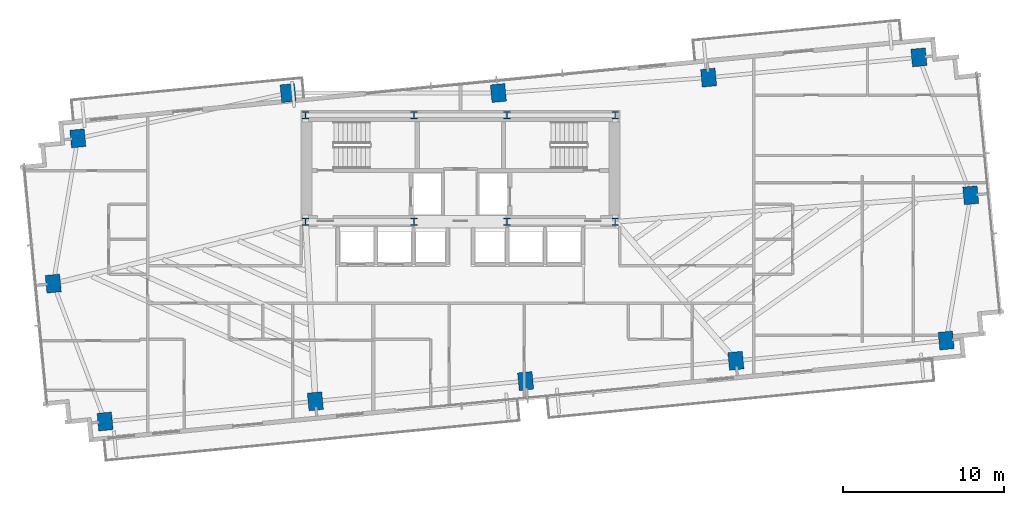
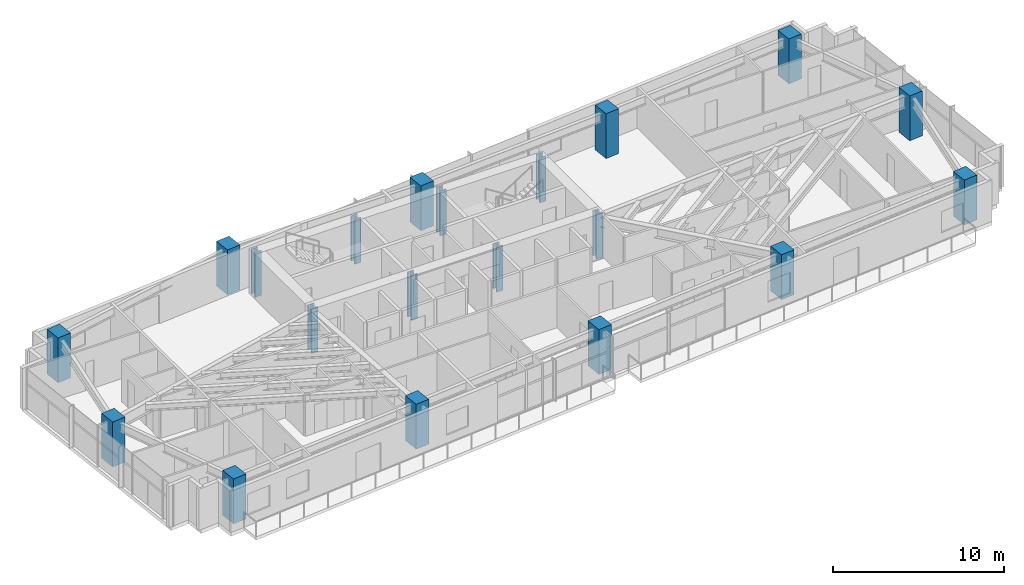
# One storey, part 1 of 25: 20 columns.
"""IFC4 building model written with IfcOpenShell, lengths in metres."""

from ifc_helpers import new_model, si_unit, direction, frame, origin, origin_2d, place, context, subcontext, project, spatial, rectangle, i_section, extrude, source, transform, mapped, material, material_profile, profile_set, type_object, type_shapes, element, save


model = new_model("IFC4")

# Units and contexts
model_context = context("Model", 3, precision=1e-05, world=origin(), true_north=direction((0.0, 1.0)))
body_context = subcontext(model_context, "Body", "Model", "MODEL_VIEW")
ifc_project = project(units=[si_unit("LENGTHUNIT", "METRE"), si_unit("AREAUNIT", "SQUARE_METRE"), si_unit("VOLUMEUNIT", "CUBIC_METRE"), si_unit("PLANEANGLEUNIT", "RADIAN"), si_unit("MASSUNIT", "GRAM", prefix="KILO")], contexts=[model_context])

# Site, building, storey
site_placement = place(None, origin())
site = spatial("IfcSite", under=ifc_project, at=site_placement, CompositionType="ELEMENT")
building_placement = place(site_placement, origin())
building = spatial("IfcBuilding", under=site, at=building_placement, Name="Astriad Promenade Condominiums", CompositionType="ELEMENT")
storey_placement = place(building_placement, frame((0.0, 0.0, 81.0)))
storey = spatial("IfcBuildingStorey", under=building, at=storey_placement, Name="L22", CompositionType="ELEMENT", Elevation=81.0)

# Columns
ifc_material_1 = material(Name="Steel ASTM A992 Grade 50", Category="steel")
ifc_material_profile_1 = material_profile(ifc_material_1, i_section(OverallWidth=0.427490234375, OverallDepth=0.483154296875, WebThickness=0.05126953125, FlangeThickness=0.08154296875, FilletRadius=0.017822265625, at=origin_2d()), Name="W14X455")
ifc_profile_set_1 = profile_set([ifc_material_profile_1], Name="Steel ASTM A992 Grade 50")
column_type_1 = type_object("IfcColumnType", Name="STEEL CORE PILASTER W14X455", PredefinedType="PILASTER", material=ifc_profile_set_1)
shared_shape_1 = source(origin(), body_context, "Body", "SweptSolid", [
    extrude(i_section(OverallWidth=0.427490234375, OverallDepth=0.483154296875, WebThickness=0.05126953125, FlangeThickness=0.08154296875, FilletRadius=0.017822265625, at=origin_2d()), origin(), (0.0, 0.0, 1.0), 3.196044921875),
])
type_shapes(column_type_1, [shared_shape_1])
for number, where, z_axis, x_axis, name in (
    (1, (26.39990234375, 17.39990234375, 0.001953125), (0.0, 0.0, 1.0), (1.0, 0.0, 0.0), "Core Pilaster Column CP1 (L22)"),
    (2, (33.1201171875, 17.39990234375, 0.001953125), (0.0, 0.0, 1.0), (1.0, 0.0, 0.0), "Core Pilaster Column CP2 (L22)"),
    (3, (38.8798828125, 17.39990234375, 0.001953125), (0.0, 0.0, 1.0), (1.0, 0.0, 0.0), "Core Pilaster Column CP3 (L22)"),
    (4, (45.60009765625, 17.39990234375, 0.001953125), (0.0, 0.0, 1.0), (1.0, 0.0, 0.0), "Core Pilaster Column CP4 (L22)"),
    (5, (26.39990234375, 24.0, 0.001953125), (0.0, 0.0, 1.0), (1.0, 0.0, 0.0), "Core Pilaster Column CP5 (L22)"),
    (6, (33.1201171875, 24.0, 0.001953125), (0.0, 0.0, 1.0), (1.0, 0.0, 0.0), "Core Pilaster Column CP6 (L22)"),
    (7, (38.8798828125, 24.0, 0.001953125), (0.0, 0.0, 1.0), (1.0, 0.0, 0.0), "Core Pilaster Column CP7 (L22)"),
    (8, (45.60009765625, 24.0, 0.001953125), (0.0, 0.0, 1.0), (1.0, 0.0, 0.0), "Core Pilaster Column CP8 (L22)"),
):
    element("IfcColumn", number, at=place(storey_placement, frame(where, z_axis=z_axis, x_axis=x_axis)), inside=storey, type_object=column_type_1, Name=name, PredefinedType="PILASTER", context=body_context, shape_type="MappedRepresentation", body=[
        mapped(shared_shape_1, transform((0.0, 0.0, 0.0), scale=1.0)),
    ])
ifc_material_2 = material(Name="Concrete C60/75", Category="concrete")
ifc_material_profile_2 = material_profile(ifc_material_2, rectangle(XDim=0.89990234375, YDim=1.10009765625, at=origin_2d()), Name="RC-COL-1100X900")
ifc_profile_set_2 = profile_set([ifc_material_profile_2], Name="Concrete C60/75")
column_type_2 = type_object("IfcColumnType", Name="CONCRETE TOWER COLUMN 1100X900", PredefinedType="COLUMN", material=ifc_profile_set_2)
shared_shape_2 = source(origin(), body_context, "Body", "SweptSolid", [
    extrude(rectangle(XDim=0.89990234375, YDim=1.10009765625, at=origin_2d()), origin(), (0.0, 0.0, 1.0), 3.196044921875),
])
type_shapes(column_type_2, [shared_shape_2])
for number, where, z_axis, x_axis, name in (
    (9, (13.966064453125, 5.009521484375, 0.001953125), (0.0, 0.0, 1.0), (0.995396198367, 0.09584575252, 0.0), "Perimeter Column PC01 (L22)"),
    (10, (27.005615234375, 6.264892578125, 0.001953125), (0.0, 0.0, 1.0), (0.995396198367, 0.09584575252, 0.0), "Perimeter Column PC02 (L22)"),
    (11, (40.04541015625, 7.5205078125, 0.001953125), (0.0, 0.0, 1.0), (0.995396198367, 0.09584575252, 0.0), "Perimeter Column PC03 (L22)"),
    (12, (53.0849609375, 8.776123046875, 0.001953125), (0.0, 0.0, 1.0), (0.995396198367, 0.09584575252, 0.0), "Perimeter Column PC04 (L22)"),
    (13, (66.124755859375, 10.03173828125, 0.001953125), (0.0, 0.0, 1.0), (0.995396198367, 0.09584575252, 0.0), "Perimeter Column PC05 (L22)"),
    (14, (12.275390625, 22.568115234375, 0.001953125), (0.0, 0.0, 1.0), (0.995396198367, 0.09584575252, 0.0), "Perimeter Column PC06 (L22)"),
    (15, (25.31494140625, 25.3798828125, 0.001953125), (0.0, 0.0, 1.0), (0.995396198367, 0.09584575252, 0.0), "Perimeter Column PC07 (L22)"),
    (16, (38.3544921875, 25.3798828125, 0.001953125), (0.0, 0.0, 1.0), (0.995396198367, 0.09584575252, 0.0), "Perimeter Column PC08 (L22)"),
    (17, (51.394287109375, 26.3349609375, 0.001953125), (0.0, 0.0, 1.0), (0.995396198367, 0.09584575252, 0.0), "Perimeter Column PC09 (L22)"),
    (18, (64.43408203125, 27.590576171875, 0.001953125), (0.0, 0.0, 1.0), (0.995396198367, 0.09584575252, 0.0), "Perimeter Column PC10 (L22)"),
    (19, (10.751708984375, 13.560791015625, 0.001953125), (0.0, 0.0, 1.0), (0.995396198367, 0.09584575252, 0.0), "Perimeter Column PC11 (L22)"),
    (20, (67.6484375, 19.039306640625, 0.001953125), (0.0, 0.0, 1.0), (0.995396198367, 0.09584575252, 0.0), "Perimeter Column PC12 (L22)"),
):
    element("IfcColumn", number, at=place(storey_placement, frame(where, z_axis=z_axis, x_axis=x_axis)), inside=storey, type_object=column_type_2, Name=name, PredefinedType="COLUMN", context=body_context, shape_type="MappedRepresentation", body=[
        mapped(shared_shape_2, transform((0.0, 0.0, 0.0), scale=1.0)),
    ])

save(model, "model.ifc")
